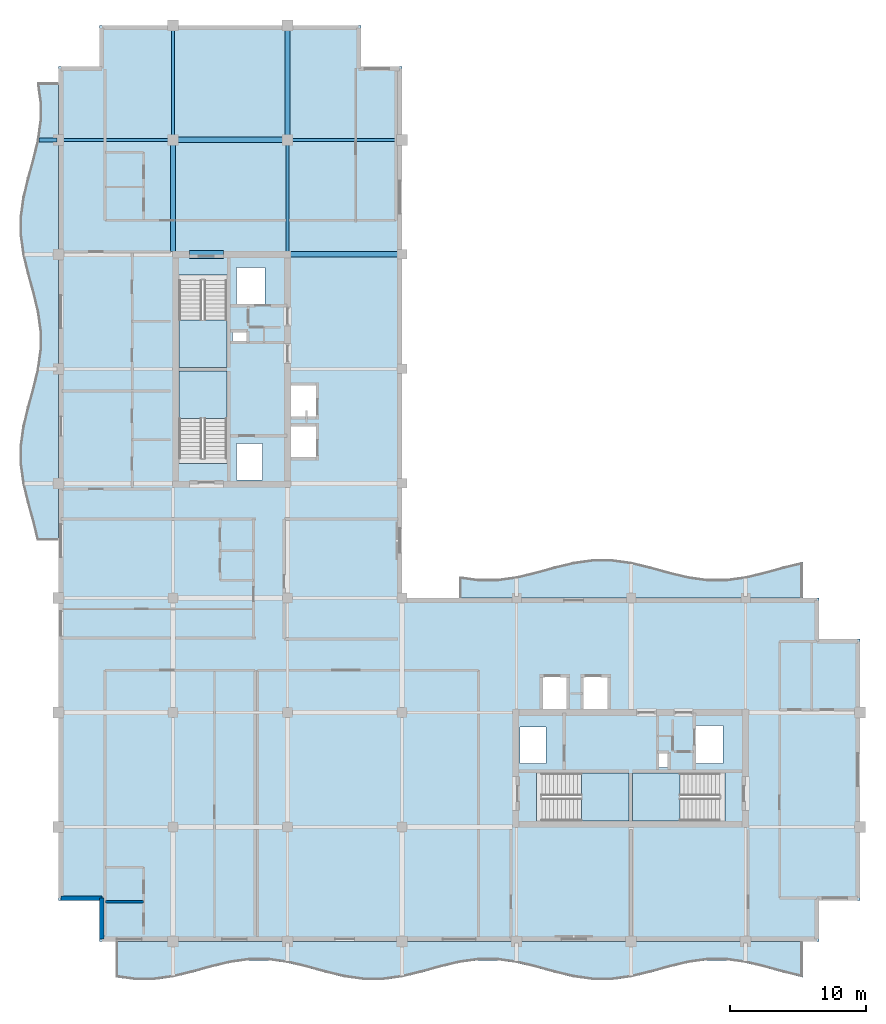
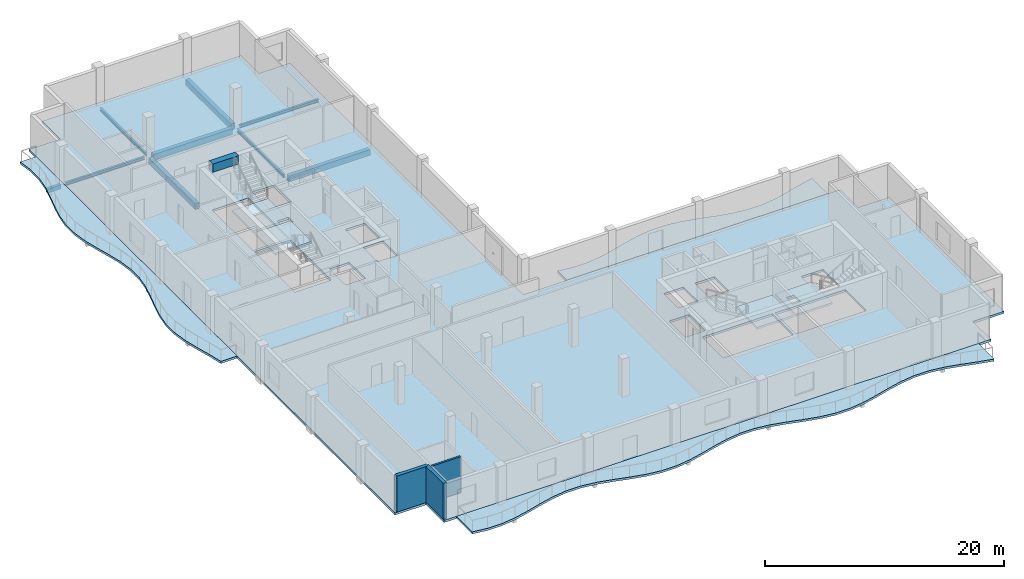
# One storey, part 2 of 11: 10 beams, 8 slabs, 3 walls, 4 elements without a shape of their own.
"""IFC4 building model written with IfcOpenShell, lengths in metres."""

from ifc_helpers import new_model, si_unit, direction, frame, frame_2d, origin, origin_2d, place, context, subcontext, project, spatial, polyline, rectangle, i_section, outline, extrude, material, layer, layer_set, material_profile, profile_set, type_object, element, aggregate, save


model = new_model("IFC4")

# Units and contexts
model_context = context("Model", 3, precision=1e-05, world=origin(), true_north=direction((0.0, 1.0)))
body_context = subcontext(model_context, "Body", "Model", "MODEL_VIEW")
ifc_project = project(units=[si_unit("LENGTHUNIT", "METRE"), si_unit("AREAUNIT", "SQUARE_METRE"), si_unit("VOLUMEUNIT", "CUBIC_METRE"), si_unit("PLANEANGLEUNIT", "RADIAN"), si_unit("MASSUNIT", "GRAM", prefix="KILO")], contexts=[model_context])

# Site, building, storey
site_placement = place(None, origin())
site = spatial("IfcSite", under=ifc_project, at=site_placement, CompositionType="ELEMENT")
building_placement = place(site_placement, origin())
building = spatial("IfcBuilding", under=site, at=building_placement, Name="Koriwani Terraces Tower", CompositionType="ELEMENT")
storey_placement = place(building_placement, frame((0.0, 0.0, 335.89990234375)))
storey = spatial("IfcBuildingStorey", under=building, at=storey_placement, Name="L83", CompositionType="ELEMENT", Elevation=335.89990234375)

# Beams
ifc_material_1 = material(Name="Concrete C40/50", Category="concrete")
ifc_material_profile_1 = material_profile(ifc_material_1, rectangle(XDim=0.300048828125, YDim=0.39990234375, at=origin_2d()), Name="Concrete C40/50", Category="LoadBearing")
ifc_profile_set_1 = profile_set([ifc_material_profile_1], Name="Concrete C40/50")
beam_type_1 = type_object("IfcBeamType", Name="BEAM_RC_BALCONY_RIB_300X400", PredefinedType="JOIST", material=ifc_profile_set_1)
beam_1_placement = place(storey_placement, frame((6.980224609375, 67.199951171875, -0.429931640625), z_axis=(1.0, 0.0, 0.0), x_axis=(0.0, 1.0, 0.0)))
element("IfcBeam", 1, at=beam_1_placement, inside=storey, type_object=beam_type_1, Name="L83 Balcony Bracket Rib W-4", PredefinedType="JOIST", context=body_context, shape_type="SweptSolid", body=[
    extrude(rectangle(XDim=0.300048828125, YDim=0.39990234375, at=origin_2d()), origin(), (0.0, 0.0, 1.0), 1.31982421875),
])
ifc_material_2 = material(Name="Concrete C50/60", Category="concrete")
ifc_material_profile_2 = material_profile(ifc_material_2, rectangle(XDim=0.60009765625, YDim=0.85009765625, at=origin_2d()), Name="Concrete C50/60", Category="LoadBearing")
ifc_profile_set_2 = profile_set([ifc_material_profile_2], Name="Concrete C50/60")
beam_type_2 = type_object("IfcBeamType", Name="BEAM_RC_COUPLING_600X850", PredefinedType="LINTEL", material=ifc_profile_set_2)
beam_2_placement = place(storey_placement, frame((18.0, 58.800048828125, 3.2451171875), z_axis=(1.0, 0.0, 0.0), x_axis=(0.0, 1.0, 0.0)))
element("IfcBeam", 2, at=beam_2_placement, inside=storey, type_object=beam_type_2, Name="L83 Core Coupling Lintel Beam WN", PredefinedType="LINTEL", context=body_context, shape_type="SweptSolid", body=[
    extrude(rectangle(XDim=0.60009765625, YDim=0.85009765625, at=origin_2d()), origin(), (0.0, 0.0, 1.0), 2.5),
])
ifc_material_profile_3 = material_profile(ifc_material_1, rectangle(XDim=0.39990234375, YDim=0.60009765625, at=origin_2d()), Name="Concrete C40/50", Category="LoadBearing")
ifc_profile_set_3 = profile_set([ifc_material_profile_3], Name="Concrete C40/50")
beam_type_3 = type_object("IfcBeamType", Name="BEAM_RC_GRID_400X600", PredefinedType="BEAM", material=ifc_profile_set_3)
beam_3_placement = place(storey_placement, frame((25.429931640625, 58.800048828125, -0.52978515625), z_axis=(1.0, 0.0, 0.0), x_axis=(0.0, 1.0, 0.0)))
element("IfcBeam", 3, at=beam_3_placement, inside=storey, type_object=beam_type_3, Name="L83 Grid Beam H (25.2-33.6m)", PredefinedType="BEAM", context=body_context, shape_type="SweptSolid", body=[
    extrude(rectangle(XDim=0.39990234375, YDim=0.60009765625, at=origin_2d()), origin(), (0.0, 0.0, 1.0), 7.840087890625),
])
beam_4_placement = place(storey_placement, frame((17.179931640625, 67.199951171875, -0.52978515625), z_axis=(1.0, 0.0, 0.0), x_axis=(0.0, 1.0, 0.0)))
element("IfcBeam", 4, at=beam_4_placement, inside=storey, type_object=beam_type_3, Name="L83 Grid Beam I (16.8-25.2m)", PredefinedType="BEAM", context=body_context, shape_type="SweptSolid", body=[
    extrude(rectangle(XDim=0.39990234375, YDim=0.60009765625, at=origin_2d()), origin(), (0.0, 0.0, 1.0), 7.64013671875),
])
beam_5_placement = place(storey_placement, frame((16.800048828125, 59.030029296875, -0.52978515625), z_axis=(0.0, 1.0, 0.0), x_axis=(-1.0, 0.0, 0.0)))
element("IfcBeam", 5, at=beam_5_placement, inside=storey, type_object=beam_type_3, Name="L83 Grid Beam 3 (58.8-67.2m)", PredefinedType="BEAM", context=body_context, shape_type="SweptSolid", body=[
    extrude(rectangle(XDim=0.39990234375, YDim=0.60009765625, at=origin_2d()), origin(), (0.0, 0.0, 1.0), 7.7900390625),
])
beam_6_placement = place(storey_placement, frame((25.199951171875, 67.580078125, -0.52978515625), z_axis=(0.0, 1.0, 0.0), x_axis=(-1.0, 0.0, 0.0)))
element("IfcBeam", 6, at=beam_6_placement, inside=storey, type_object=beam_type_3, Name="L83 Grid Beam 4 (67.2-75.6m)", PredefinedType="BEAM", context=body_context, shape_type="SweptSolid", body=[
    extrude(rectangle(XDim=0.39990234375, YDim=0.60009765625, at=origin_2d()), origin(), (0.0, 0.0, 1.0), 7.639892578125),
])
ifc_material_3 = material(Name="Steel ASTM A572 Grade 50", Category="steel")
ifc_material_profile_4 = material_profile(ifc_material_3, i_section(OverallWidth=0.205078125, OverallDepth=0.31005859375, WebThickness=0.009521484375, FlangeThickness=0.016357421875, at=origin_2d()), Name="Steel ASTM A572 Grade 50", Category="LoadBearing")
ifc_profile_set_4 = profile_set([ifc_material_profile_4], Name="Steel ASTM A572 Grade 50")
beam_type_4 = type_object("IfcBeamType", Name="STEEL_BEAM_W310X74", PredefinedType="JOIST", material=ifc_profile_set_4)
for number, where, z_axis, x_axis, name in (
    (7, (8.780029296875, 67.199951171875, -0.385009765625), (1.0, 0.0, 0.0), (0.0, 1.0, 0.0), "L83 Grid Beam I (8.4-16.8m)"),
    (8, (25.580078125, 67.199951171875, -0.385009765625), (1.0, 0.0, 0.0), (0.0, 1.0, 0.0), "L83 Grid Beam I (25.2-33.6m)"),
    (9, (16.800048828125, 67.580078125, -0.385009765625), (0.0, 1.0, 0.0), (-1.0, 0.0, 0.0), "L83 Grid Beam 3 (67.2-75.6m)"),
):
    element("IfcBeam", number, at=place(storey_placement, frame(where, z_axis=z_axis, x_axis=x_axis)), inside=storey, type_object=beam_type_4, Name=name, PredefinedType="JOIST", context=body_context, shape_type="SweptSolid", body=[
        extrude(i_section(OverallWidth=0.205078125, OverallDepth=0.31005859375, WebThickness=0.009521484375, FlangeThickness=0.016357421875, at=origin_2d()), origin(), (0.0, 0.0, 1.0), 7.639892578125),
    ])
beam_7_placement = place(storey_placement, frame((25.199951171875, 59.030029296875, -0.385009765625), z_axis=(0.0, 1.0, 0.0), x_axis=(-1.0, 0.0, 0.0)))
element("IfcBeam", 10, at=beam_7_placement, inside=storey, type_object=beam_type_4, Name="L83 Grid Beam 4 (58.8-67.2m)", PredefinedType="JOIST", context=body_context, shape_type="SweptSolid", body=[
    extrude(i_section(OverallWidth=0.205078125, OverallDepth=0.31005859375, WebThickness=0.009521484375, FlangeThickness=0.016357421875, at=origin_2d()), origin(), (0.0, 0.0, 1.0), 7.7900390625),
])

# Slabs
ifc_layer_1 = layer(ifc_material_1, 0.219970703125, Name="Concrete C40/50")
ifc_layer_set_1 = layer_set([ifc_layer_1], Name="Concrete C40/50")
slab_type_1 = type_object("IfcSlabType", Name="SLAB_BALCONY_220", PredefinedType="FLOOR", material=ifc_layer_set_1)
slab_1_placement = place(storey_placement, frame((0.0, 0.0, -0.219970703125)))
element("IfcSlab", 11, at=slab_1_placement, inside=storey, type_object=slab_type_1, Name="L83 Quilted Circular-Arc Balcony (S)", PredefinedType="FLOOR", context=body_context, shape_type="SweptSolid", body=[
    extrude(outline(polyline([(12.60009765625, 8.39990234375), (14.0, 8.39990234375), (15.39990234375, 8.39990234375), (16.800048828125, 8.39990234375), (18.199951171875, 8.39990234375), (19.60009765625, 8.39990234375), (21.0, 8.39990234375), (22.39990234375, 8.39990234375), (23.800048828125, 8.39990234375), (25.199951171875, 8.39990234375), (26.60009765625, 8.39990234375), (28.0, 8.39990234375), (29.39990234375, 8.39990234375), (30.800048828125, 8.39990234375), (32.199951171875, 8.39990234375), (33.60009765625, 8.39990234375), (35.0, 8.39990234375), (36.39990234375, 8.39990234375), (37.800048828125, 8.39990234375), (39.199951171875, 8.39990234375), (40.60009765625, 8.39990234375), (42.0, 8.39990234375), (43.39990234375, 8.39990234375), (44.800048828125, 8.39990234375), (46.199951171875, 8.39990234375), (47.60009765625, 8.39990234375), (49.0, 8.39990234375), (50.39990234375, 8.39990234375), (51.800048828125, 8.39990234375), (53.199951171875, 8.39990234375), (54.60009765625, 8.39990234375), (56.0, 8.39990234375), (57.39990234375, 8.39990234375), (58.800048828125, 8.39990234375), (60.199951171875, 8.39990234375), (61.60009765625, 8.39990234375), (63.0, 8.39990234375), (63.0, 5.769775390625), (61.60009765625, 6.10595703125), (60.199951171875, 6.494140625), (58.800048828125, 6.830322265625), (57.39990234375, 7.0244140625), (56.0, 7.0244140625), (54.60009765625, 6.830322265625), (53.199951171875, 6.494140625), (51.800048828125, 6.10595703125), (50.39990234375, 5.769775390625), (49.0, 5.57568359375), (47.60009765625, 5.57568359375), (46.199951171875, 5.769775390625), (44.800048828125, 6.10595703125), (43.39990234375, 6.494140625), (42.0, 6.830322265625), (40.60009765625, 7.0244140625), (39.199951171875, 7.0244140625), (37.800048828125, 6.830322265625), (36.39990234375, 6.494140625), (35.0, 6.10595703125), (33.60009765625, 5.769775390625), (32.199951171875, 5.57568359375), (30.800048828125, 5.57568359375), (29.39990234375, 5.769775390625), (28.0, 6.10595703125), (26.60009765625, 6.494140625), (25.199951171875, 6.830322265625), (23.800048828125, 7.0244140625), (22.39990234375, 7.0244140625), (21.0, 6.830322265625), (19.60009765625, 6.494140625), (18.199951171875, 6.10595703125), (16.800048828125, 5.769775390625), (15.39990234375, 5.57568359375), (14.0, 5.57568359375), (12.60009765625, 5.769775390625), (12.60009765625, 8.39990234375)])), origin(), (0.0, 0.0, 1.0), 0.219970703125),
])
slab_2_placement = place(storey_placement, frame((0.0, 0.0, -0.219970703125)))
element("IfcSlab", 12, at=slab_2_placement, inside=storey, type_object=slab_type_1, Name="L83 Quilted Circular-Arc Balcony (W)", PredefinedType="FLOOR", context=body_context, shape_type="SweptSolid", body=[
    extrude(outline(polyline([(8.39990234375, 37.800048828125), (8.39990234375, 39.199951171875), (8.39990234375, 40.60009765625), (8.39990234375, 42.0), (8.39990234375, 43.39990234375), (8.39990234375, 44.800048828125), (8.39990234375, 46.199951171875), (8.39990234375, 47.60009765625), (8.39990234375, 49.0), (8.39990234375, 50.39990234375), (8.39990234375, 51.800048828125), (8.39990234375, 53.199951171875), (8.39990234375, 54.60009765625), (8.39990234375, 56.0), (8.39990234375, 57.39990234375), (8.39990234375, 58.800048828125), (8.39990234375, 60.199951171875), (8.39990234375, 61.60009765625), (8.39990234375, 63.0), (8.39990234375, 64.39990234375), (8.39990234375, 65.800048828125), (8.39990234375, 67.199951171875), (8.39990234375, 68.60009765625), (8.39990234375, 70.0), (8.39990234375, 71.39990234375), (6.830322265625, 71.39990234375), (7.0244140625, 70.0), (7.0244140625, 68.60009765625), (6.830322265625, 67.199951171875), (6.494140625, 65.800048828125), (6.10595703125, 64.39990234375), (5.769775390625, 63.0), (5.57568359375, 61.60009765625), (5.57568359375, 60.199951171875), (5.769775390625, 58.800048828125), (6.10595703125, 57.39990234375), (6.494140625, 56.0), (6.830322265625, 54.60009765625), (7.0244140625, 53.199951171875), (7.0244140625, 51.800048828125), (6.830322265625, 50.39990234375), (6.494140625, 49.0), (6.10595703125, 47.60009765625), (5.769775390625, 46.199951171875), (5.57568359375, 44.800048828125), (5.57568359375, 43.39990234375), (5.769775390625, 42.0), (6.10595703125, 40.60009765625), (6.494140625, 39.199951171875), (6.830322265625, 37.800048828125), (8.39990234375, 37.800048828125)])), origin(), (0.0, 0.0, 1.0), 0.219970703125),
])
slab_3_placement = place(storey_placement, frame((0.0, 0.0, -0.219970703125)))
element("IfcSlab", 13, at=slab_3_placement, inside=storey, type_object=slab_type_1, Name="L83 Quilted Circular-Arc Balcony (NE)", PredefinedType="FLOOR", context=body_context, shape_type="SweptSolid", body=[
    extrude(outline(polyline([(63.0, 33.60009765625), (61.60009765625, 33.60009765625), (60.199951171875, 33.60009765625), (58.800048828125, 33.60009765625), (57.39990234375, 33.60009765625), (56.0, 33.60009765625), (54.60009765625, 33.60009765625), (53.199951171875, 33.60009765625), (51.800048828125, 33.60009765625), (50.39990234375, 33.60009765625), (49.0, 33.60009765625), (47.60009765625, 33.60009765625), (46.199951171875, 33.60009765625), (44.800048828125, 33.60009765625), (43.39990234375, 33.60009765625), (42.0, 33.60009765625), (40.60009765625, 33.60009765625), (39.199951171875, 33.60009765625), (37.800048828125, 33.60009765625), (37.800048828125, 35.169677734375), (39.199951171875, 34.9755859375), (40.60009765625, 34.9755859375), (42.0, 35.169677734375), (43.39990234375, 35.505859375), (44.800048828125, 35.89404296875), (46.199951171875, 36.230224609375), (47.60009765625, 36.42431640625), (49.0, 36.42431640625), (50.39990234375, 36.230224609375), (51.800048828125, 35.89404296875), (53.199951171875, 35.505859375), (54.60009765625, 35.169677734375), (56.0, 34.9755859375), (57.39990234375, 34.9755859375), (58.800048828125, 35.169677734375), (60.199951171875, 35.505859375), (61.60009765625, 35.89404296875), (63.0, 36.230224609375), (63.0, 33.60009765625)])), origin(), (0.0, 0.0, 1.0), 0.219970703125),
])
ifc_layer_2 = layer(ifc_material_1, 0.22998046875, Name="Concrete C40/50")
ifc_layer_set_2 = layer_set([ifc_layer_2], Name="Concrete C40/50")
slab_type_2 = type_object("IfcSlabType", Name="SLAB_RES_TYP_230", PredefinedType="FLOOR", material=ifc_layer_set_2)
slab_4_placement = place(storey_placement, frame((0.0, 0.0, -0.22998046875)))
element("IfcSlab", 14, at=slab_4_placement, inside=storey, type_object=slab_type_2, Name="L83 Structural Floor Slab", PredefinedType="FLOOR", context=body_context, shape_type="SweptSolid", body=[
    extrude(outline(polyline([(11.39990234375, 8.39990234375), (64.199951171875, 8.39990234375), (64.199951171875, 11.39990234375), (67.199951171875, 11.39990234375), (67.199951171875, 30.60009765625), (64.199951171875, 30.60009765625), (64.199951171875, 33.60009765625), (33.60009765625, 33.60009765625), (33.60009765625, 72.60009765625), (30.60009765625, 72.60009765625), (30.60009765625, 75.60009765625), (11.39990234375, 75.60009765625), (11.39990234375, 72.60009765625), (8.39990234375, 72.60009765625), (8.39990234375, 11.39990234375), (11.39990234375, 11.39990234375), (11.39990234375, 8.39990234375)]), holes=[polyline([(17.25, 43.4599609375), (20.75, 43.4599609375), (20.75, 50.25), (17.25, 50.25), (17.25, 43.4599609375)]), polyline([(17.25, 50.5), (20.75, 50.5), (20.75, 57.2900390625), (17.25, 57.2900390625), (17.25, 50.5)]), polyline([(43.4599609375, 17.25), (50.25, 17.25), (50.25, 20.75), (43.4599609375, 20.75), (43.4599609375, 17.25)]), polyline([(50.5, 17.25), (57.2900390625, 17.25), (57.2900390625, 20.75), (50.5, 20.75), (50.5, 17.25)]), polyline([(25.449951171875, 43.85009765625), (27.35009765625, 43.85009765625), (27.35009765625, 46.25), (25.449951171875, 46.25), (25.449951171875, 43.85009765625)]), polyline([(25.449951171875, 46.85009765625), (27.35009765625, 46.85009765625), (27.35009765625, 49.25), (25.449951171875, 49.25), (25.449951171875, 46.85009765625)]), polyline([(43.85009765625, 25.449951171875), (45.75, 25.449951171875), (45.75, 27.85009765625), (43.85009765625, 27.85009765625), (43.85009765625, 25.449951171875)]), polyline([(46.85009765625, 25.449951171875), (48.75, 25.449951171875), (48.75, 27.85009765625), (46.85009765625, 27.85009765625), (46.85009765625, 25.449951171875)]), polyline([(21.449951171875, 55.050048828125), (23.550048828125, 55.050048828125), (23.550048828125, 57.85009765625), (21.449951171875, 57.85009765625), (21.449951171875, 55.050048828125)]), polyline([(55.050048828125, 21.449951171875), (57.14990234375, 21.449951171875), (57.14990234375, 24.25), (55.050048828125, 24.25), (55.050048828125, 21.449951171875)]), polyline([(21.449951171875, 42.25), (23.35009765625, 42.25), (23.35009765625, 44.949951171875), (21.449951171875, 44.949951171875), (21.449951171875, 42.25)]), polyline([(42.25, 21.449951171875), (44.14990234375, 21.449951171875), (44.14990234375, 24.14990234375), (42.25, 24.14990234375), (42.25, 21.449951171875)]), polyline([(21.14990234375, 52.419921875), (22.219970703125, 52.419921875), (22.219970703125, 53.179931640625), (21.14990234375, 53.179931640625), (21.14990234375, 52.419921875)]), polyline([(52.419921875, 21.14990234375), (53.179931640625, 21.14990234375), (53.179931640625, 22.219970703125), (52.419921875, 22.219970703125), (52.419921875, 21.14990234375)])]), origin(), (0.0, 0.0, 1.0), 0.22998046875),
])

# Stair, slab
stair_type = type_object("IfcStairType", Name="STAIR_CORE_DOGLEG_1650", PredefinedType="TWO_STRAIGHT_RUN_STAIR", material=ifc_material_1)
stair_1_placement = place(storey_placement, origin())
stair_1 = element("IfcStair", 15, at=stair_1_placement, inside=storey, type_object=stair_type, Name="L83 West Core Exit Stair 1", PredefinedType="HALF_TURN_STAIR")
ifc_layer_3 = layer(ifc_material_1, 0.199951171875, Name="Concrete C40/50")
ifc_layer_set_3 = layer_set([ifc_layer_3], Name="Concrete C40/50")
slab_type_3 = type_object("IfcSlabType", Name="SLAB_STAIR_LANDING_200", PredefinedType="LANDING", material=ifc_layer_set_3)
slab_5_placement = place(storey_placement, frame((0.0, 0.0, 1.75)))
slab_5 = element("IfcSlab", 16, at=slab_5_placement, type_object=slab_type_3, Name="ST-W1 landing 1", PredefinedType="LANDING", context=body_context, shape_type="SweptSolid", body=[
    extrude(outline(polyline([(20.75, 46.75), (20.75, 50.25), (17.25, 50.25), (17.25, 46.75), (20.75, 46.75)])), origin(), (0.0, 0.0, 1.0), 0.2001953125),
])
aggregate(stair_1, [slab_5])

stair_2_placement = place(storey_placement, origin())
stair_2 = element("IfcStair", 17, at=stair_2_placement, inside=storey, type_object=stair_type, Name="L83 West Core Exit Stair 2", PredefinedType="HALF_TURN_STAIR")
slab_6_placement = place(storey_placement, frame((0.0, 0.0, 1.75)))
slab_6 = element("IfcSlab", 18, at=slab_6_placement, type_object=slab_type_3, Name="ST-W2 landing 1", PredefinedType="LANDING", context=body_context, shape_type="SweptSolid", body=[
    extrude(outline(polyline([(17.25, 54.0), (17.25, 50.5), (20.75, 50.5), (20.75, 54.0), (17.25, 54.0)])), origin(), (0.0, 0.0, 1.0), 0.2001953125),
])
aggregate(stair_2, [slab_6])

stair_3_placement = place(storey_placement, origin())
stair_3 = element("IfcStair", 19, at=stair_3_placement, inside=storey, type_object=stair_type, Name="L83 East Core Exit Stair 1", PredefinedType="HALF_TURN_STAIR")
slab_7_placement = place(storey_placement, frame((0.0, 0.0, 1.75)))
slab_7 = element("IfcSlab", 20, at=slab_7_placement, type_object=slab_type_3, Name="ST-E1 landing 1", PredefinedType="LANDING", context=body_context, shape_type="SweptSolid", body=[
    extrude(outline(polyline([(46.75, 17.25), (50.25, 17.25), (50.25, 20.75), (46.75, 20.75), (46.75, 17.25)])), origin(), (0.0, 0.0, 1.0), 0.2001953125),
])
aggregate(stair_3, [slab_7])

stair_4_placement = place(storey_placement, origin())
stair_4 = element("IfcStair", 21, at=stair_4_placement, inside=storey, type_object=stair_type, Name="L83 East Core Exit Stair 2", PredefinedType="HALF_TURN_STAIR")
slab_8_placement = place(storey_placement, frame((0.0, 0.0, 1.75)))
slab_8 = element("IfcSlab", 22, at=slab_8_placement, type_object=slab_type_3, Name="ST-E2 landing 1", PredefinedType="LANDING", context=body_context, shape_type="SweptSolid", body=[
    extrude(outline(polyline([(54.0, 20.75), (50.5, 20.75), (50.5, 17.25), (54.0, 17.25), (54.0, 20.75)])), origin(), (0.0, 0.0, 1.0), 0.2001953125),
])
aggregate(stair_4, [slab_8])

# Walls
ifc_layer_4 = layer(ifc_material_2, 0.35009765625, Name="Concrete C50/60")
ifc_layer_set_4 = layer_set([ifc_layer_4], Name="Concrete C50/60")
wall_type_1 = type_object("IfcWallType", Name="WALL_EXT_BRUTALIST_350", PredefinedType="STANDARD", material=ifc_layer_set_4)
for number, where, z_axis, x_axis, name in (
    (23, (11.574951171875, 8.574951171875, 0.0), (0.0, 0.0, 1.0), (0.0, 1.0, 0.0), "L83 Fair-Faced Brutalist Exterior Wall (N0)"),
    (24, (11.574951171875, 11.574951171875, 0.0), (0.0, 0.0, 1.0), (-1.0, 0.0, 0.0), "L83 Fair-Faced Brutalist Exterior Wall (N1)"),
):
    element("IfcWall", number, at=place(storey_placement, frame(where, z_axis=z_axis, x_axis=x_axis)), inside=storey, type_object=wall_type_1, Name=name, PredefinedType="STANDARD", context=body_context, shape_type="SweptSolid", body=[
        extrude(rectangle(XDim=3.0, YDim=0.35009765625, at=frame_2d((1.5, 0.0))), origin(), (0.0, 0.0, 1.0), 3.670166015625),
    ])
ifc_material_4 = material(Name="Fire-Rated Acoustic Gypsum Partition", Category="masonry")
ifc_layer_5 = layer(ifc_material_4, 0.179931640625, Name="Fire-Rated Acoustic Gypsum Partition")
ifc_layer_set_5 = layer_set([ifc_layer_5], Name="Fire-Rated Acoustic Gypsum Partition")
wall_type_2 = type_object("IfcWallType", Name="WALL_PLUMBING_180", PredefinedType="PLUMBINGWALL", material=ifc_layer_set_5)
wall_placement = place(storey_placement, frame((11.85009765625, 11.300048828125, 0.0), z_axis=(0.0, 0.0, 1.0), x_axis=(1.0, 0.0, 0.0)))
element("IfcWall", 25, at=wall_placement, inside=storey, type_object=wall_type_2, Name="L83 Interior Wall WGB-L83-SPINE-SVM", PredefinedType="PLUMBINGWALL", context=body_context, shape_type="SweptSolid", body=[
    extrude(rectangle(XDim=2.7998046875, YDim=0.179931640625, at=frame_2d((1.39990234375, 0.0))), origin(), (0.0, 0.0, 1.0), 3.670166015625),
])

save(model, "model.ifc")
